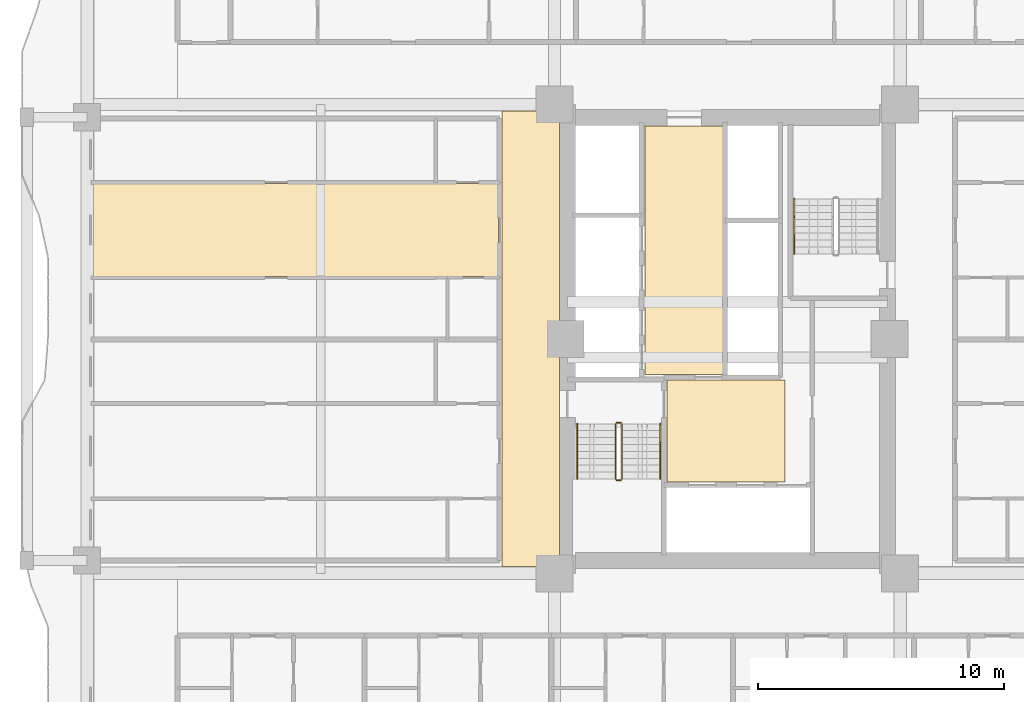
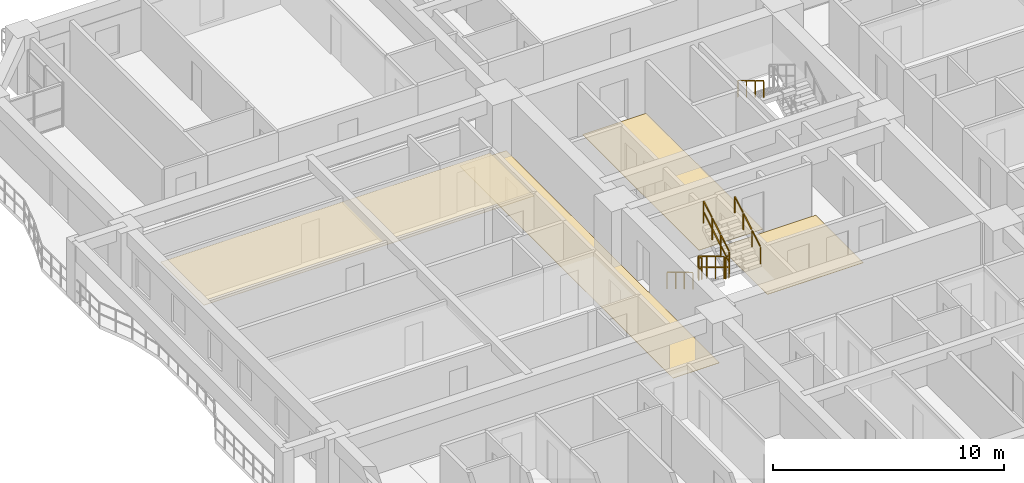
# One storey, part 25 of 28: 7 railings, 4 coverings.
"""IFC4 building model written with IfcOpenShell, lengths in metres."""

from ifc_helpers import new_model, si_unit, direction, frame, origin, origin_2d, place, context, subcontext, project, spatial, polyline, rectangle, outline, extrude, material, layer, layer_set, type_object, element, save


model = new_model("IFC4")

# Units and contexts
model_context = context("Model", 3, precision=1e-05, world=origin(), true_north=direction((0.0, 1.0)))
body_context = subcontext(model_context, "Body", "Model", "MODEL_VIEW")
ifc_project = project(units=[si_unit("LENGTHUNIT", "METRE"), si_unit("AREAUNIT", "SQUARE_METRE"), si_unit("VOLUMEUNIT", "CUBIC_METRE"), si_unit("PLANEANGLEUNIT", "RADIAN"), si_unit("MASSUNIT", "GRAM", prefix="KILO")], contexts=[model_context])

# Site, building, storey
site_placement = place(None, origin())
site = spatial("IfcSite", under=ifc_project, at=site_placement, CompositionType="ELEMENT")
building_placement = place(site_placement, origin())
building = spatial("IfcBuilding", under=site, at=building_placement, Name="Saelheon Loggia Tower", CompositionType="ELEMENT")
storey_placement = place(building_placement, frame((0.0, 0.0, 25.39990234375)))
storey = spatial("IfcBuildingStorey", under=building, at=storey_placement, Name="L07", CompositionType="ELEMENT", Elevation=25.39990234375)

# Coverings
ifc_material_1 = material(Name="Mineral-Fibre Acoustic Ceiling Board", Category="gypsum")
ifc_layer_1 = layer(ifc_material_1, 0.02490234375)
ifc_layer_set_1 = layer_set([ifc_layer_1], Name="Mineral-Fibre Acoustic Ceiling Board")
covering_type_1 = type_object("IfcCoveringType", Name="Cov_Ceiling_Acoustic", PredefinedType="CEILING", material=ifc_layer_set_1)
covering_1_placement = place(storey_placement, frame((0.0, 0.0, 2.53515625)))
element("IfcCovering", 1, at=covering_1_placement, inside=storey, type_object=covering_type_1, Name="L07 Acoustic Suspended Ceiling", PredefinedType="CEILING", context=body_context, shape_type="SweptSolid", body=[
    extrude(outline(polyline([(12.199951171875, 29.5380859375), (28.699951171875, 29.5380859375), (28.699951171875, 33.300048828125), (12.199951171875, 33.300048828125), (12.199951171875, 29.5380859375)])), origin(), (0.0, 0.0, 1.0), 0.02490234375),
])
ifc_material_2 = material(Name="Vitrified Porcelain Floor Tile", Category="ceramic")
ifc_layer_2 = layer(ifc_material_2, 0.02001953125)
ifc_layer_set_2 = layer_set([ifc_layer_2], Name="Vitrified Porcelain Floor Tile")
covering_type_2 = type_object("IfcCoveringType", Name="Cov_Floor_Porcelain", PredefinedType="FLOORING", material=ifc_layer_set_2)
covering_2_placement = place(storey_placement, origin())
element("IfcCovering", 2, at=covering_2_placement, inside=storey, type_object=covering_type_2, Name="L07 Corridor Porcelain Flooring", PredefinedType="FLOORING", context=body_context, shape_type="SweptSolid", body=[
    extrude(outline(polyline([(35.550048828125, 21.179931640625), (40.35009765625, 21.179931640625), (40.35009765625, 25.320068359375), (35.550048828125, 25.320068359375), (35.550048828125, 21.179931640625)])), origin(), (0.0, 0.0, 1.0), 0.02001953125),
])
covering_3_placement = place(storey_placement, origin())
element("IfcCovering", 3, at=covering_3_placement, inside=storey, type_object=covering_type_2, Name="L07 Corridor Porcelain Flooring", PredefinedType="FLOORING", context=body_context, shape_type="SweptSolid", body=[
    extrude(outline(polyline([(34.64990234375, 25.550048828125), (37.85009765625, 25.550048828125), (37.85009765625, 35.64990234375), (34.64990234375, 35.64990234375), (34.64990234375, 25.550048828125)])), origin(), (0.0, 0.0, 1.0), 0.02001953125),
])
covering_4_placement = place(storey_placement, origin())
element("IfcCovering", 4, at=covering_4_placement, inside=storey, type_object=covering_type_2, Name="L07 Corridor Porcelain Flooring", PredefinedType="FLOORING", context=body_context, shape_type="SweptSolid", body=[
    extrude(outline(polyline([(28.85009765625, 17.75), (31.179931640625, 17.75), (31.179931640625, 36.25), (28.85009765625, 36.25), (28.85009765625, 17.75)])), origin(), (0.0, 0.0, 1.0), 0.02001953125),
])

# Railings
ifc_material_3 = material(Name="Galvanised Steel S275 Stairwell Guardrail", Category="steel")
railing_type_1 = type_object("IfcRailingType", Name="Guard_StairWell_RL_STG", PredefinedType="GUARDRAIL", material=ifc_material_3)
railing_1_placement = place(storey_placement, frame((33.4599609375, 23.550048828125, 0.166748046875)))
element("IfcRailing", 5, at=railing_1_placement, inside=storey, type_object=railing_type_1, Name="L07 ST1 stair guard 1", PredefinedType="GUARDRAIL", context=body_context, shape_type="SweptSolid", body=[
    extrude(rectangle(XDim=0.048095703125, YDim=0.048095703125, at=origin_2d()), frame((0.0, -0.028564453125, 1.19287109375), z_axis=(0.0, -0.859305625298, 0.511462454469), x_axis=(1.0, 0.0, 0.0)), (0.0, 0.0, 1.0), 0.802490234375),
    extrude(rectangle(XDim=0.048095703125, YDim=0.048095703125, at=origin_2d()), frame((0.0, -0.028564453125, 0.616943359375), z_axis=(0.0, -0.859305625298, 0.511462454469), x_axis=(1.0, 0.0, 0.0)), (0.0, 0.0, 1.0), 0.802490234375),
    extrude(rectangle(XDim=0.048095703125, YDim=0.048095703125, at=origin_2d()), frame((0.0, -0.775146484375, 1.63720703125), z_axis=(0.0, -0.859305625298, 0.511462454469), x_axis=(1.0, 0.0, 0.0)), (0.0, 0.0, 1.0), 0.802490234375),
    extrude(rectangle(XDim=0.048095703125, YDim=0.048095703125, at=origin_2d()), frame((0.0, -0.775146484375, 1.061279296875), z_axis=(0.0, -0.859305625298, 0.511462454469), x_axis=(1.0, 0.0, 0.0)), (0.0, 0.0, 1.0), 0.802490234375),
    extrude(rectangle(XDim=0.048095703125, YDim=0.048095703125, at=origin_2d()), frame((0.0, -1.52197265625, 2.081787109375), z_axis=(0.0, -0.859305625298, 0.511462454469), x_axis=(1.0, 0.0, 0.0)), (0.0, 0.0, 1.0), 0.802490234375),
    extrude(rectangle(XDim=0.048095703125, YDim=0.048095703125, at=origin_2d()), frame((0.0, -1.52197265625, 1.505859375), z_axis=(0.0, -0.859305625298, 0.511462454469), x_axis=(1.0, 0.0, 0.0)), (0.0, 0.0, 1.0), 0.802490234375),
    extrude(rectangle(XDim=0.0419921875, YDim=0.0419921875, at=origin_2d()), origin(), (0.0, 0.0, 1.0), 1.14794921875),
    extrude(rectangle(XDim=0.0419921875, YDim=0.0419921875, at=origin_2d()), frame((0.0, -0.74658203125, 0.4443359375)), (0.0, 0.0, 1.0), 1.14794921875),
    extrude(rectangle(XDim=0.0419921875, YDim=0.0419921875, at=origin_2d()), frame((0.0, -1.493408203125, 0.888916015625)), (0.0, 0.0, 1.0), 1.14794921875),
    extrude(rectangle(XDim=0.0419921875, YDim=0.0419921875, at=origin_2d()), frame((0.0, -2.239990234375, 1.333251953125)), (0.0, 0.0, 1.0), 1.14794921875),
])
railing_2_placement = place(storey_placement, frame((33.510009765625, 21.260009765625, 1.5)))
element("IfcRailing", 6, at=railing_2_placement, inside=storey, type_object=railing_type_1, Name="L07 ST1 stair guard 2", PredefinedType="GUARDRAIL", context=body_context, shape_type="SweptSolid", body=[
    extrude(rectangle(XDim=0.048095703125, YDim=0.048095703125, at=origin_2d()), frame((0.033203125, 0.0, 1.17578125), z_axis=(1.0, 0.0, 0.0), x_axis=(0.0, 1.0, 0.0)), (0.0, 0.0, 1.0), 0.093505859375),
    extrude(rectangle(XDim=0.048095703125, YDim=0.048095703125, at=origin_2d()), frame((0.033203125, 0.0, 0.60009765625), z_axis=(1.0, 0.0, 0.0), x_axis=(0.0, 1.0, 0.0)), (0.0, 0.0, 1.0), 0.093505859375),
    extrude(rectangle(XDim=0.0419921875, YDim=0.0419921875, at=origin_2d()), origin(), (0.0, 0.0, 1.0), 1.14794921875),
    extrude(rectangle(XDim=0.0419921875, YDim=0.0419921875, at=origin_2d()), frame((0.159912109375, 0.0, 0.0)), (0.0, 0.0, 1.0), 1.14794921875),
])
railing_3_placement = place(storey_placement, frame((33.719970703125, 21.31005859375, 1.666748046875)))
element("IfcRailing", 7, at=railing_3_placement, inside=storey, type_object=railing_type_1, Name="L07 ST1 stair guard 3", PredefinedType="GUARDRAIL", context=body_context, shape_type="SweptSolid", body=[
    extrude(rectangle(XDim=0.048095703125, YDim=0.048095703125, at=origin_2d()), frame((0.0, 0.028564453125, 1.19287109375), z_axis=(0.0, 0.859305625298, 0.511462454469), x_axis=(-1.0, 0.0, 0.0)), (0.0, 0.0, 1.0), 0.802490234375),
    extrude(rectangle(XDim=0.048095703125, YDim=0.048095703125, at=origin_2d()), frame((0.0, 0.028564453125, 0.616943359375), z_axis=(0.0, 0.859305625298, 0.511462454469), x_axis=(-1.0, 0.0, 0.0)), (0.0, 0.0, 1.0), 0.802490234375),
    extrude(rectangle(XDim=0.048095703125, YDim=0.048095703125, at=origin_2d()), frame((0.0, 0.775146484375, 1.63720703125), z_axis=(0.0, 0.859305625298, 0.511462454469), x_axis=(-1.0, 0.0, 0.0)), (0.0, 0.0, 1.0), 0.802490234375),
    extrude(rectangle(XDim=0.048095703125, YDim=0.048095703125, at=origin_2d()), frame((0.0, 0.775146484375, 1.061279296875), z_axis=(0.0, 0.859305625298, 0.511462454469), x_axis=(-1.0, 0.0, 0.0)), (0.0, 0.0, 1.0), 0.802490234375),
    extrude(rectangle(XDim=0.048095703125, YDim=0.048095703125, at=origin_2d()), frame((0.0, 1.52197265625, 2.081787109375), z_axis=(0.0, 0.859305625298, 0.511462454469), x_axis=(-1.0, 0.0, 0.0)), (0.0, 0.0, 1.0), 0.802490234375),
    extrude(rectangle(XDim=0.048095703125, YDim=0.048095703125, at=origin_2d()), frame((0.0, 1.52197265625, 1.505859375), z_axis=(0.0, 0.859305625298, 0.511462454469), x_axis=(-1.0, 0.0, 0.0)), (0.0, 0.0, 1.0), 0.802490234375),
    extrude(rectangle(XDim=0.0419921875, YDim=0.0419921875, at=origin_2d()), origin(), (0.0, 0.0, 1.0), 1.14794921875),
    extrude(rectangle(XDim=0.0419921875, YDim=0.0419921875, at=origin_2d()), frame((0.0, 0.74658203125, 0.4443359375)), (0.0, 0.0, 1.0), 1.14794921875),
    extrude(rectangle(XDim=0.0419921875, YDim=0.0419921875, at=origin_2d()), frame((0.0, 1.493408203125, 0.888916015625)), (0.0, 0.0, 1.0), 1.14794921875),
    extrude(rectangle(XDim=0.0419921875, YDim=0.0419921875, at=origin_2d()), frame((0.0, 2.239990234375, 1.333251953125)), (0.0, 0.0, 1.0), 1.14794921875),
])
railing_4_placement = place(storey_placement, frame((33.510009765625, 23.60009765625, 0.0)))
element("IfcRailing", 8, at=railing_4_placement, inside=storey, type_object=railing_type_1, Name="L07 ST1 stair guard 4", PredefinedType="GUARDRAIL", context=body_context, shape_type="SweptSolid", body=[
    extrude(rectangle(XDim=0.048095703125, YDim=0.048095703125, at=origin_2d()), frame((0.033203125, 0.0, 1.17578125), z_axis=(1.0, 0.0, 0.0), x_axis=(0.0, 1.0, 0.0)), (0.0, 0.0, 1.0), 0.093505859375),
    extrude(rectangle(XDim=0.048095703125, YDim=0.048095703125, at=origin_2d()), frame((0.033203125, 0.0, 0.60009765625), z_axis=(1.0, 0.0, 0.0), x_axis=(0.0, 1.0, 0.0)), (0.0, 0.0, 1.0), 0.093505859375),
    extrude(rectangle(XDim=0.0419921875, YDim=0.0419921875, at=origin_2d()), origin(), (0.0, 0.0, 1.0), 1.14794921875),
    extrude(rectangle(XDim=0.0419921875, YDim=0.0419921875, at=origin_2d()), frame((0.159912109375, 0.0, 0.0)), (0.0, 0.0, 1.0), 1.14794921875),
])
ifc_material_4 = material(Name="Stainless Steel 304 Tubular Handrail", Category="steel")
railing_type_2 = type_object("IfcRailingType", Name="Handrail_Stair_RL_HR1", PredefinedType="HANDRAIL", material=ifc_material_4)
railing_5_placement = place(storey_placement, frame((31.89990234375, 23.550048828125, 0.166748046875)))
element("IfcRailing", 9, at=railing_5_placement, inside=storey, type_object=railing_type_2, Name="L07 ST1 stair handrail 1", PredefinedType="HANDRAIL", context=body_context, shape_type="SweptSolid", body=[
    extrude(rectangle(XDim=0.048095703125, YDim=0.048095703125, at=origin_2d()), frame((0.0, -0.028564453125, 0.892822265625), z_axis=(0.0, -0.859305625298, 0.511462454469), x_axis=(1.0, 0.0, 0.0)), (0.0, 0.0, 1.0), 0.802490234375),
    extrude(rectangle(XDim=0.048095703125, YDim=0.048095703125, at=origin_2d()), frame((0.0, -0.775146484375, 1.337158203125), z_axis=(0.0, -0.859305625298, 0.511462454469), x_axis=(1.0, 0.0, 0.0)), (0.0, 0.0, 1.0), 0.802490234375),
    extrude(rectangle(XDim=0.048095703125, YDim=0.048095703125, at=origin_2d()), frame((0.0, -1.52197265625, 1.78173828125), z_axis=(0.0, -0.859305625298, 0.511462454469), x_axis=(1.0, 0.0, 0.0)), (0.0, 0.0, 1.0), 0.802490234375),
    extrude(rectangle(XDim=0.0419921875, YDim=0.0419921875, at=origin_2d()), origin(), (0.0, 0.0, 1.0), 0.847900390625),
    extrude(rectangle(XDim=0.0419921875, YDim=0.0419921875, at=origin_2d()), frame((0.0, -0.74658203125, 0.4443359375)), (0.0, 0.0, 1.0), 0.847900390625),
    extrude(rectangle(XDim=0.0419921875, YDim=0.0419921875, at=origin_2d()), frame((0.0, -1.493408203125, 0.888916015625)), (0.0, 0.0, 1.0), 0.847900390625),
    extrude(rectangle(XDim=0.0419921875, YDim=0.0419921875, at=origin_2d()), frame((0.0, -2.239990234375, 1.333251953125)), (0.0, 0.0, 1.0), 0.847900390625),
])
railing_6_placement = place(storey_placement, frame((35.280029296875, 21.31005859375, 1.666748046875)))
element("IfcRailing", 10, at=railing_6_placement, inside=storey, type_object=railing_type_2, Name="L07 ST1 stair handrail 2", PredefinedType="HANDRAIL", context=body_context, shape_type="SweptSolid", body=[
    extrude(rectangle(XDim=0.048095703125, YDim=0.048095703125, at=origin_2d()), frame((0.0, 0.028564453125, 0.892822265625), z_axis=(0.0, 0.859305625298, 0.511462454469), x_axis=(-1.0, 0.0, 0.0)), (0.0, 0.0, 1.0), 0.802490234375),
    extrude(rectangle(XDim=0.048095703125, YDim=0.048095703125, at=origin_2d()), frame((0.0, 0.775146484375, 1.337158203125), z_axis=(0.0, 0.859305625298, 0.511462454469), x_axis=(-1.0, 0.0, 0.0)), (0.0, 0.0, 1.0), 0.802490234375),
    extrude(rectangle(XDim=0.048095703125, YDim=0.048095703125, at=origin_2d()), frame((0.0, 1.52197265625, 1.78173828125), z_axis=(0.0, 0.859305625298, 0.511462454469), x_axis=(-1.0, 0.0, 0.0)), (0.0, 0.0, 1.0), 0.802490234375),
    extrude(rectangle(XDim=0.0419921875, YDim=0.0419921875, at=origin_2d()), origin(), (0.0, 0.0, 1.0), 0.847900390625),
    extrude(rectangle(XDim=0.0419921875, YDim=0.0419921875, at=origin_2d()), frame((0.0, 0.74658203125, 0.4443359375)), (0.0, 0.0, 1.0), 0.847900390625),
    extrude(rectangle(XDim=0.0419921875, YDim=0.0419921875, at=origin_2d()), frame((0.0, 1.493408203125, 0.888916015625)), (0.0, 0.0, 1.0), 0.847900390625),
    extrude(rectangle(XDim=0.0419921875, YDim=0.0419921875, at=origin_2d()), frame((0.0, 2.239990234375, 1.333251953125)), (0.0, 0.0, 1.0), 0.847900390625),
])
railing_7_placement = place(storey_placement, frame((40.719970703125, 32.68994140625, 1.666748046875)))
element("IfcRailing", 11, at=railing_7_placement, inside=storey, type_object=railing_type_2, Name="L07 ST2 stair handrail 2", PredefinedType="HANDRAIL", context=body_context, shape_type="SweptSolid", body=[
    extrude(rectangle(XDim=0.048095703125, YDim=0.048095703125, at=origin_2d()), frame((0.0, -0.028564453125, 0.892822265625), z_axis=(0.0, -0.859305625298, 0.511462454469), x_axis=(1.0, 0.0, 0.0)), (0.0, 0.0, 1.0), 0.802490234375),
    extrude(rectangle(XDim=0.048095703125, YDim=0.048095703125, at=origin_2d()), frame((0.0, -0.775146484375, 1.337158203125), z_axis=(0.0, -0.859305625298, 0.511462454469), x_axis=(1.0, 0.0, 0.0)), (0.0, 0.0, 1.0), 0.802490234375),
    extrude(rectangle(XDim=0.048095703125, YDim=0.048095703125, at=origin_2d()), frame((0.0, -1.52197265625, 1.78173828125), z_axis=(0.0, -0.859305625298, 0.511462454469), x_axis=(1.0, 0.0, 0.0)), (0.0, 0.0, 1.0), 0.802490234375),
    extrude(rectangle(XDim=0.0419921875, YDim=0.0419921875, at=origin_2d()), origin(), (0.0, 0.0, 1.0), 0.847900390625),
    extrude(rectangle(XDim=0.0419921875, YDim=0.0419921875, at=origin_2d()), frame((0.0, -0.74658203125, 0.4443359375)), (0.0, 0.0, 1.0), 0.847900390625),
    extrude(rectangle(XDim=0.0419921875, YDim=0.0419921875, at=origin_2d()), frame((0.0, -1.493408203125, 0.888916015625)), (0.0, 0.0, 1.0), 0.847900390625),
    extrude(rectangle(XDim=0.0419921875, YDim=0.0419921875, at=origin_2d()), frame((0.0, -2.239990234375, 1.333251953125)), (0.0, 0.0, 1.0), 0.847900390625),
])

save(model, "model.ifc")
